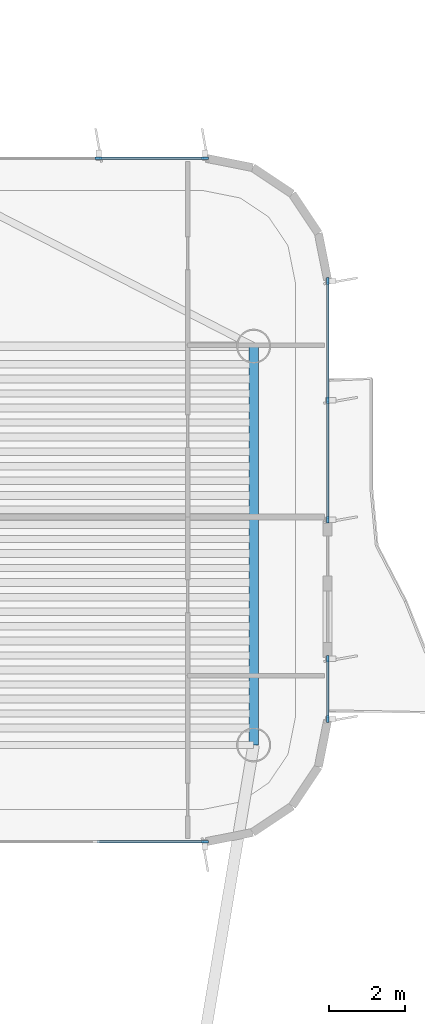
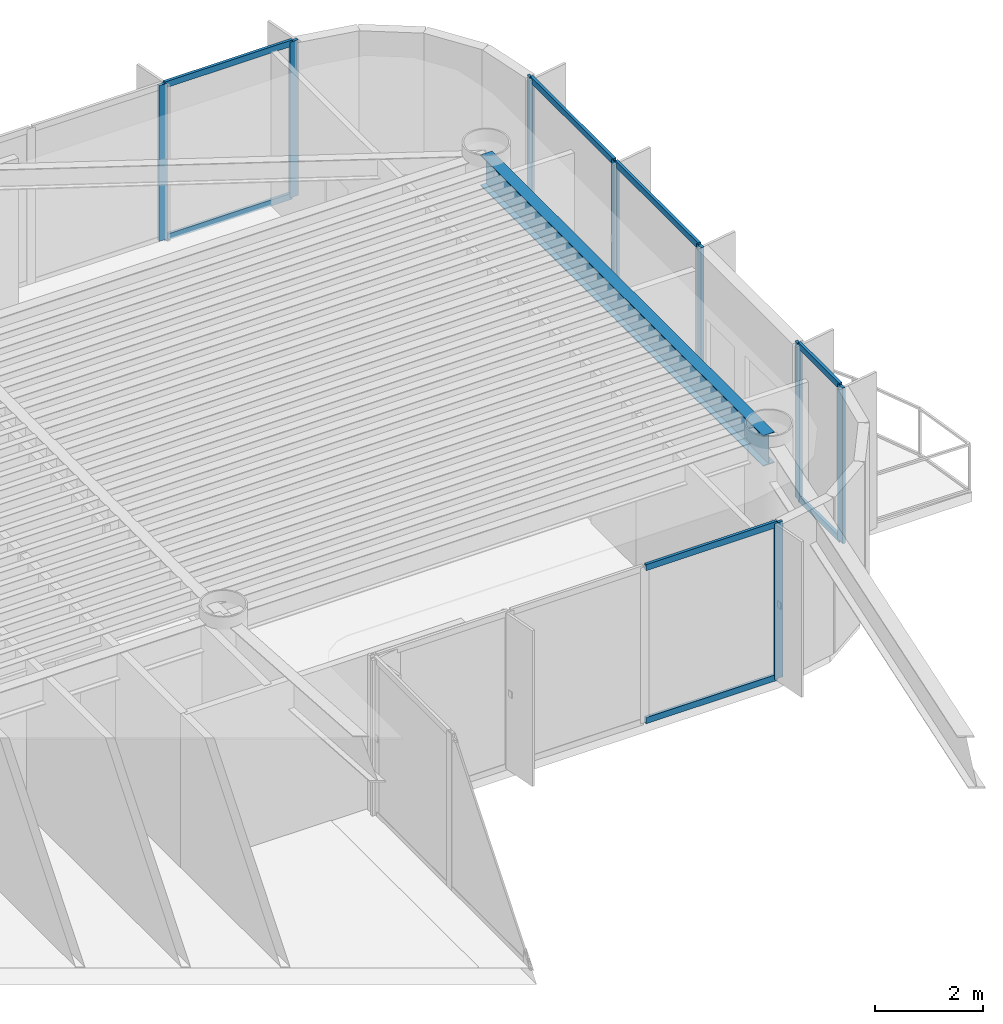
# One storey, part 8 of 16: 18 members, 1 beam, 4 elements without a shape of their own.
"""IFC4 building model written with IfcOpenShell, lengths in metres."""

from ifc_helpers import new_model, si_unit, direction, frame, origin, origin_2d, place, context, subcontext, project, spatial, rectangle, i_section, extrude, source, transform, mapped, material, layer, layer_set, material_profile, profile_set, type_object, element, aggregate, save


model = new_model("IFC4")

# Units and contexts
model_context = context("Model", 3, precision=1e-05, world=origin(), true_north=direction((0.0, 1.0)))
body_context = subcontext(model_context, "Body", "Model", "MODEL_VIEW")
ifc_project = project(units=[si_unit("LENGTHUNIT", "METRE"), si_unit("AREAUNIT", "SQUARE_METRE"), si_unit("VOLUMEUNIT", "CUBIC_METRE"), si_unit("PLANEANGLEUNIT", "RADIAN"), si_unit("MASSUNIT", "GRAM", prefix="KILO")], contexts=[model_context])

# Site, building, storey
site_placement = place(None, origin())
site = spatial("IfcSite", under=ifc_project, at=site_placement, CompositionType="ELEMENT")
building_placement = place(site_placement, origin())
building = spatial("IfcBuilding", under=site, at=building_placement, Name="Brelvock Crest Care Tower", CompositionType="ELEMENT")
storey_placement = place(building_placement, frame((0.0, 0.0, 230.580078125)))
storey = spatial("IfcBuildingStorey", under=building, at=storey_placement, Name="L58", CompositionType="ELEMENT", Elevation=230.580078125)

# Beam
ifc_material_1 = material(Name="Steel Grade 350", Category="steel")
ifc_material_profile_1 = material_profile(ifc_material_1, i_section(OverallWidth=0.25, OverallDepth=0.699951171875, WebThickness=0.011962890625, FlangeThickness=0.02001953125, at=origin_2d()), Name="700WB150")
ifc_profile_set_1 = profile_set([ifc_material_profile_1], Name="Steel Grade 350")
beam_type = type_object("IfcBeamType", Name="BM-G4", PredefinedType="BEAM", material=ifc_profile_set_1)
shared_shape_1 = source(origin(), body_context, "Body", "SweptSolid", [
    extrude(i_section(OverallWidth=0.25, OverallDepth=0.699951171875, WebThickness=0.011962890625, FlangeThickness=0.02001953125, at=origin_2d()), origin(), (0.0, 0.0, 1.0), 10.5),
])
beam_placement = place(storey_placement, frame((52.35009765625, 43.949951171875, 3.179931640625), z_axis=(0.0, 1.0, 0.0), x_axis=(-1.0, 0.0, 0.0)))
element("IfcBeam", 1, at=beam_placement, inside=storey, type_object=beam_type, Name="BM-TWR-L58-02", PredefinedType="BEAM", context=body_context, shape_type="MappedRepresentation", body=[
    mapped(shared_shape_1, transform((0.0, 0.0, 0.0), x_axis=(1.0, 0.0, 0.0), y_axis=(0.0, 1.0, 0.0), z_axis=(0.0, 0.0, 1.0), scale=1.0)),
])

# Curtain wall, members
ifc_material_2 = material(Name="Dark Glass Double Glazed Low-E", Category="glass")
ifc_layer = layer(ifc_material_2, 0.239990234375, Name="CWS-5")
ifc_layer_set = layer_set([ifc_layer], Name="Dark Glass Double Glazed Low-E")
curtain_wall_type = type_object("IfcCurtainWallType", Name="CWS-5", PredefinedType="NOTDEFINED", material=ifc_layer_set)
curtain_wall_1_placement = place(storey_placement, origin())
curtain_wall_1 = element("IfcCurtainWall", 2, at=curtain_wall_1_placement, inside=storey, type_object=curtain_wall_type, Name="L58 Curtain Wall E34", PredefinedType="NOTDEFINED")
ifc_material_3 = material(Name="Aluminium 6063-T6", Category="aluminium")
ifc_material_profile_2 = material_profile(ifc_material_3, rectangle(XDim=0.06005859375, YDim=0.179931640625, at=origin_2d()), Name="ALU60x180")
ifc_profile_set_2 = profile_set([ifc_material_profile_2], Name="Aluminium 6063-T6")
member_type_1 = type_object("IfcMemberType", Name="CWM-2", PredefinedType="MULLION", material=ifc_profile_set_2)
shared_shape_2 = source(origin(), body_context, "Body", "SweptSolid", [
    extrude(rectangle(XDim=0.06005859375, YDim=0.179931640625, at=origin_2d()), origin(), (0.0, 0.0, 1.0), 3.530029296875),
])
member_1_placement = place(storey_placement, frame((48.2666015625, 59.39990234375, 0.0), z_axis=(0.0, 0.0, 1.0), x_axis=(0.0, 1.0, 0.0)))
member_1 = element("IfcMember", 3, at=member_1_placement, type_object=member_type_1, Name="CW-5 mullion 3", PredefinedType="MULLION", context=body_context, shape_type="MappedRepresentation", body=[
    mapped(shared_shape_2, transform((0.0, 0.0, 0.0), x_axis=(1.0, 0.0, 0.0), y_axis=(0.0, 1.0, 0.0), z_axis=(0.0, 0.0, 1.0), scale=1.0)),
])
member_2_placement = place(storey_placement, frame((51.070068359375, 59.39990234375, 0.0), z_axis=(0.0, 0.0, 1.0), x_axis=(0.0, 1.0, 0.0)))
member_2 = element("IfcMember", 4, at=member_2_placement, type_object=member_type_1, Name="CW-5 mullion 4", PredefinedType="MULLION", context=body_context, shape_type="MappedRepresentation", body=[
    mapped(shared_shape_2, transform((0.0, 0.0, 0.0), x_axis=(1.0, 0.0, 0.0), y_axis=(0.0, 1.0, 0.0), z_axis=(0.0, 0.0, 1.0), scale=1.0)),
])

curtain_wall_2_placement = place(storey_placement, origin())
curtain_wall_2 = element("IfcCurtainWall", 5, at=curtain_wall_2_placement, inside=storey, type_object=curtain_wall_type, Name="L58 Curtain Wall E39A", PredefinedType="NOTDEFINED")
member_3_placement = place(storey_placement, frame((54.300048828125, 56.169921875, 0.0), z_axis=(0.0, 0.0, 1.0), x_axis=(1.0, 0.0, 0.0)))
member_3 = element("IfcMember", 6, at=member_3_placement, type_object=member_type_1, Name="CW-5 mullion 1", PredefinedType="MULLION", context=body_context, shape_type="MappedRepresentation", body=[
    mapped(shared_shape_2, transform((0.0, 0.0, 0.0), x_axis=(1.0, 0.0, 0.0), y_axis=(0.0, 1.0, 0.0), z_axis=(0.0, 0.0, 1.0), scale=1.0)),
])
member_4_placement = place(storey_placement, frame((54.300048828125, 53.02490234375, 0.0), z_axis=(0.0, 0.0, 1.0), x_axis=(1.0, 0.0, 0.0)))
member_4 = element("IfcMember", 7, at=member_4_placement, type_object=member_type_1, Name="CW-5 mullion 2", PredefinedType="MULLION", context=body_context, shape_type="MappedRepresentation", body=[
    mapped(shared_shape_2, transform((0.0, 0.0, 0.0), x_axis=(1.0, 0.0, 0.0), y_axis=(0.0, 1.0, 0.0), z_axis=(0.0, 0.0, 1.0), scale=1.0)),
])
member_5_placement = place(storey_placement, frame((54.300048828125, 49.8798828125, 0.0), z_axis=(0.0, 0.0, 1.0), x_axis=(1.0, 0.0, 0.0)))
member_5 = element("IfcMember", 8, at=member_5_placement, type_object=member_type_1, Name="CW-5 mullion 3", PredefinedType="MULLION", context=body_context, shape_type="MappedRepresentation", body=[
    mapped(shared_shape_2, transform((0.0, 0.0, 0.0), x_axis=(1.0, 0.0, 0.0), y_axis=(0.0, 1.0, 0.0), z_axis=(0.0, 0.0, 1.0), scale=1.0)),
])

curtain_wall_3_placement = place(storey_placement, origin())
curtain_wall_3 = element("IfcCurtainWall", 9, at=curtain_wall_3_placement, inside=storey, type_object=curtain_wall_type, Name="L58 Curtain Wall E39B", PredefinedType="NOTDEFINED")
member_6_placement = place(storey_placement, frame((54.300048828125, 46.219970703125, 0.0), z_axis=(0.0, 0.0, 1.0), x_axis=(1.0, 0.0, 0.0)))
member_6 = element("IfcMember", 10, at=member_6_placement, type_object=member_type_1, Name="CW-5 mullion 1", PredefinedType="MULLION", context=body_context, shape_type="MappedRepresentation", body=[
    mapped(shared_shape_2, transform((0.0, 0.0, 0.0), x_axis=(1.0, 0.0, 0.0), y_axis=(0.0, 1.0, 0.0), z_axis=(0.0, 0.0, 1.0), scale=1.0)),
])
member_7_placement = place(storey_placement, frame((54.300048828125, 44.6298828125, 0.0), z_axis=(0.0, 0.0, 1.0), x_axis=(1.0, 0.0, 0.0)))
member_7 = element("IfcMember", 11, at=member_7_placement, type_object=member_type_1, Name="CW-5 mullion 2", PredefinedType="MULLION", context=body_context, shape_type="MappedRepresentation", body=[
    mapped(shared_shape_2, transform((0.0, 0.0, 0.0), x_axis=(1.0, 0.0, 0.0), y_axis=(0.0, 1.0, 0.0), z_axis=(0.0, 0.0, 1.0), scale=1.0)),
])

# Curtain wall, member
curtain_wall_4_placement = place(storey_placement, origin())
curtain_wall_4 = element("IfcCurtainWall", 12, at=curtain_wall_4_placement, inside=storey, type_object=curtain_wall_type, Name="L58 Curtain Wall E44", PredefinedType="NOTDEFINED")
member_8_placement = place(storey_placement, frame((51.070068359375, 41.39990234375, 0.0), z_axis=(0.0, 0.0, 1.0), x_axis=(0.0, -1.0, 0.0)))
member_8 = element("IfcMember", 13, at=member_8_placement, type_object=member_type_1, Name="CW-5 mullion 1", PredefinedType="MULLION", context=body_context, shape_type="MappedRepresentation", body=[
    mapped(shared_shape_2, transform((0.0, 0.0, 0.0), x_axis=(1.0, 0.0, 0.0), y_axis=(0.0, 1.0, 0.0), z_axis=(0.0, 0.0, 1.0), scale=1.0)),
])

# Member
ifc_material_profile_3 = material_profile(ifc_material_3, rectangle(XDim=0.06005859375, YDim=0.139892578125, at=origin_2d()), Name="ALU60x140")
ifc_profile_set_3 = profile_set([ifc_material_profile_3], Name="Aluminium 6063-T6")
member_type_2 = type_object("IfcMemberType", Name="CWT-2", PredefinedType="USERDEFINED", material=ifc_profile_set_3)
shared_shape_3 = source(origin(), body_context, "Body", "SweptSolid", [
    extrude(rectangle(XDim=0.06005859375, YDim=0.139892578125, at=origin_2d()), origin(), (0.0, 0.0, 1.0), 1.530029296875),
])
member_9_placement = place(storey_placement, frame((54.300048828125, 46.18994140625, 0.030029296875), z_axis=(0.0, -1.0, 0.0), x_axis=(1.0, 0.0, 0.0)))
member_9 = element("IfcMember", 14, at=member_9_placement, type_object=member_type_2, Name="CW-5 transom 1.1", ObjectType="TRANSOM", PredefinedType="USERDEFINED", context=body_context, shape_type="MappedRepresentation", body=[
    mapped(shared_shape_3, transform((0.0, 0.0, 0.0), x_axis=(1.0, 0.0, 0.0), y_axis=(0.0, 1.0, 0.0), z_axis=(0.0, 0.0, 1.0), scale=1.0)),
])

member_10_placement = place(storey_placement, frame((54.300048828125, 46.18994140625, 3.5), z_axis=(0.0, -1.0, 0.0), x_axis=(1.0, 0.0, 0.0)))
member_10 = element("IfcMember", 15, at=member_10_placement, type_object=member_type_2, Name="CW-5 transom 1.2", ObjectType="TRANSOM", PredefinedType="USERDEFINED", context=body_context, shape_type="MappedRepresentation", body=[
    mapped(shared_shape_3, transform((0.0, 0.0, 0.0), x_axis=(1.0, 0.0, 0.0), y_axis=(0.0, 1.0, 0.0), z_axis=(0.0, 0.0, 1.0), scale=1.0)),
])

aggregate(curtain_wall_3, [member_6, member_7, member_9, member_10])

shared_shape_4 = source(origin(), body_context, "Body", "SweptSolid", [
    extrude(rectangle(XDim=0.06005859375, YDim=0.139892578125, at=origin_2d()), origin(), (0.0, 0.0, 1.0), 2.81005859375),
])
member_11_placement = place(storey_placement, frame((51.0400390625, 41.39990234375, 0.030029296875), z_axis=(-1.0, 0.0, 0.0), x_axis=(0.0, -1.0, 0.0)))
member_11 = element("IfcMember", 16, at=member_11_placement, type_object=member_type_2, Name="CW-5 transom 1.1", ObjectType="TRANSOM", PredefinedType="USERDEFINED", context=body_context, shape_type="MappedRepresentation", body=[
    mapped(shared_shape_4, transform((0.0, 0.0, 0.0), x_axis=(1.0, 0.0, 0.0), y_axis=(0.0, 1.0, 0.0), z_axis=(0.0, 0.0, 1.0), scale=1.0)),
])

member_12_placement = place(storey_placement, frame((51.0400390625, 41.39990234375, 3.5), z_axis=(-1.0, 0.0, 0.0), x_axis=(0.0, -1.0, 0.0)))
member_12 = element("IfcMember", 17, at=member_12_placement, type_object=member_type_2, Name="CW-5 transom 1.2", ObjectType="TRANSOM", PredefinedType="USERDEFINED", context=body_context, shape_type="MappedRepresentation", body=[
    mapped(shared_shape_4, transform((0.0, 0.0, 0.0), x_axis=(1.0, 0.0, 0.0), y_axis=(0.0, 1.0, 0.0), z_axis=(0.0, 0.0, 1.0), scale=1.0)),
])

aggregate(curtain_wall_4, [member_8, member_11, member_12])

shared_shape_5 = source(origin(), body_context, "Body", "SweptSolid", [
    extrude(rectangle(XDim=0.06005859375, YDim=0.139892578125, at=origin_2d()), origin(), (0.0, 0.0, 1.0), 3.085205078125),
])
member_13_placement = place(storey_placement, frame((54.300048828125, 52.9951171875, 0.030029296875), z_axis=(0.0, -1.0, 0.0), x_axis=(1.0, 0.0, 0.0)))
member_13 = element("IfcMember", 18, at=member_13_placement, type_object=member_type_2, Name="CW-5 transom 2.1", ObjectType="TRANSOM", PredefinedType="USERDEFINED", context=body_context, shape_type="MappedRepresentation", body=[
    mapped(shared_shape_5, transform((0.0, 0.0, 0.0), x_axis=(1.0, 0.0, 0.0), y_axis=(0.0, 1.0, 0.0), z_axis=(0.0, 0.0, 1.0), scale=1.0)),
])

member_14_placement = place(storey_placement, frame((54.300048828125, 52.9951171875, 3.5), z_axis=(0.0, -1.0, 0.0), x_axis=(1.0, 0.0, 0.0)))
member_14 = element("IfcMember", 19, at=member_14_placement, type_object=member_type_2, Name="CW-5 transom 2.2", ObjectType="TRANSOM", PredefinedType="USERDEFINED", context=body_context, shape_type="MappedRepresentation", body=[
    mapped(shared_shape_5, transform((0.0, 0.0, 0.0), x_axis=(1.0, 0.0, 0.0), y_axis=(0.0, 1.0, 0.0), z_axis=(0.0, 0.0, 1.0), scale=1.0)),
])

shared_shape_6 = source(origin(), body_context, "Body", "SweptSolid", [
    extrude(rectangle(XDim=0.06005859375, YDim=0.139892578125, at=origin_2d()), origin(), (0.0, 0.0, 1.0), 3.0849609375),
])
member_15_placement = place(storey_placement, frame((54.300048828125, 56.139892578125, 0.030029296875), z_axis=(0.0, -1.0, 0.0), x_axis=(1.0, 0.0, 0.0)))
member_15 = element("IfcMember", 20, at=member_15_placement, type_object=member_type_2, Name="CW-5 transom 1.1", ObjectType="TRANSOM", PredefinedType="USERDEFINED", context=body_context, shape_type="MappedRepresentation", body=[
    mapped(shared_shape_6, transform((0.0, 0.0, 0.0), x_axis=(1.0, 0.0, 0.0), y_axis=(0.0, 1.0, 0.0), z_axis=(0.0, 0.0, 1.0), scale=1.0)),
])

member_16_placement = place(storey_placement, frame((54.300048828125, 56.139892578125, 3.5), z_axis=(0.0, -1.0, 0.0), x_axis=(1.0, 0.0, 0.0)))
member_16 = element("IfcMember", 21, at=member_16_placement, type_object=member_type_2, Name="CW-5 transom 1.2", ObjectType="TRANSOM", PredefinedType="USERDEFINED", context=body_context, shape_type="MappedRepresentation", body=[
    mapped(shared_shape_6, transform((0.0, 0.0, 0.0), x_axis=(1.0, 0.0, 0.0), y_axis=(0.0, 1.0, 0.0), z_axis=(0.0, 0.0, 1.0), scale=1.0)),
])

aggregate(curtain_wall_2, [member_3, member_4, member_5, member_15, member_16, member_13, member_14])

shared_shape_7 = source(origin(), body_context, "Body", "SweptSolid", [
    extrude(rectangle(XDim=0.06005859375, YDim=0.139892578125, at=origin_2d()), origin(), (0.0, 0.0, 1.0), 2.743408203125),
])
member_17_placement = place(storey_placement, frame((48.296630859375, 59.39990234375, 0.030029296875), z_axis=(1.0, 0.0, 0.0), x_axis=(0.0, 1.0, 0.0)))
member_17 = element("IfcMember", 22, at=member_17_placement, type_object=member_type_2, Name="CW-5 transom 3.1", ObjectType="TRANSOM", PredefinedType="USERDEFINED", context=body_context, shape_type="MappedRepresentation", body=[
    mapped(shared_shape_7, transform((0.0, 0.0, 0.0), x_axis=(1.0, 0.0, 0.0), y_axis=(0.0, 1.0, 0.0), z_axis=(0.0, 0.0, 1.0), scale=1.0)),
])

member_18_placement = place(storey_placement, frame((48.296630859375, 59.39990234375, 3.5), z_axis=(1.0, 0.0, 0.0), x_axis=(0.0, 1.0, 0.0)))
member_18 = element("IfcMember", 23, at=member_18_placement, type_object=member_type_2, Name="CW-5 transom 3.2", ObjectType="TRANSOM", PredefinedType="USERDEFINED", context=body_context, shape_type="MappedRepresentation", body=[
    mapped(shared_shape_7, transform((0.0, 0.0, 0.0), x_axis=(1.0, 0.0, 0.0), y_axis=(0.0, 1.0, 0.0), z_axis=(0.0, 0.0, 1.0), scale=1.0)),
])

aggregate(curtain_wall_1, [member_1, member_2, member_17, member_18])

save(model, "model.ifc")
